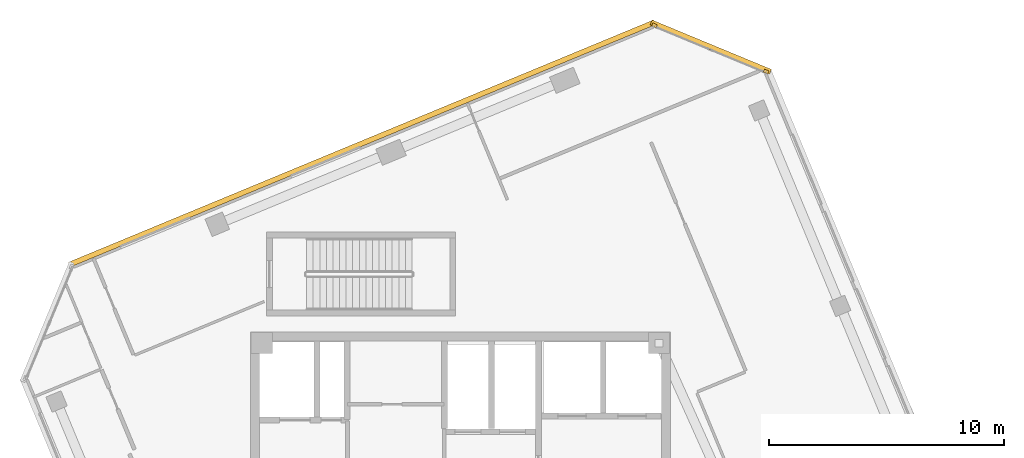
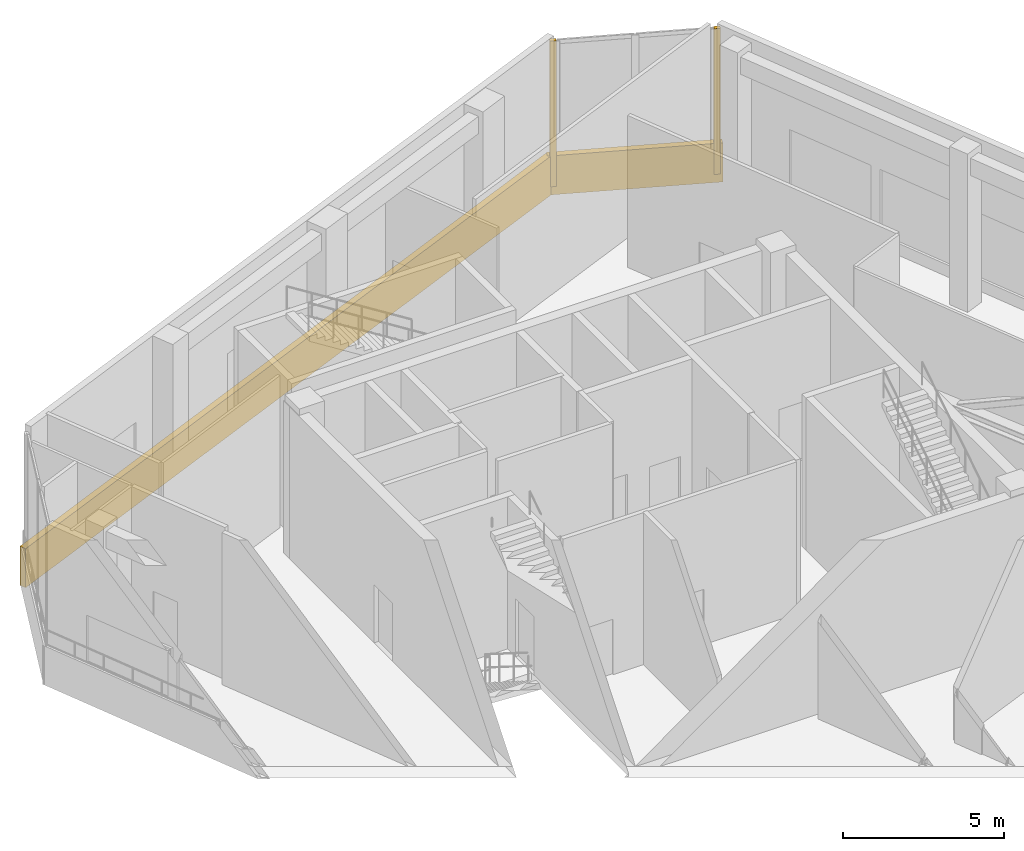
# One storey, part 16 of 16: 4 coverings.
"""IFC4 building model written with IfcOpenShell, lengths in metres."""

from ifc_helpers import new_model, si_unit, direction, frame, origin, origin_2d, place, context, subcontext, project, spatial, rectangle, extrude, source, transform, mapped, material, layer, layer_set, type_object, element, save


model = new_model("IFC4")

# Units and contexts
model_context = context("Model", 3, precision=1e-05, world=origin(), true_north=direction((0.0, 1.0)))
body_context = subcontext(model_context, "Body", "Model", "MODEL_VIEW")
ifc_project = project(units=[si_unit("LENGTHUNIT", "METRE"), si_unit("AREAUNIT", "SQUARE_METRE"), si_unit("VOLUMEUNIT", "CUBIC_METRE"), si_unit("PLANEANGLEUNIT", "RADIAN"), si_unit("MASSUNIT", "GRAM", prefix="KILO")], contexts=[model_context])

# Site, building, storey
site_placement = place(None, origin())
site = spatial("IfcSite", under=ifc_project, at=site_placement, CompositionType="ELEMENT")
building_placement = place(site_placement, origin())
building = spatial("IfcBuilding", under=site, at=building_placement, Name="Torre Montelarca", CompositionType="ELEMENT")
storey_placement = place(building_placement, frame((0.0, 0.0, 349.199951171875)))
storey = spatial("IfcBuildingStorey", under=building, at=storey_placement, Name="L79", CompositionType="ELEMENT", Elevation=349.199951171875)

# Coverings
ifc_material = material(Name="Bush-hammered warm white precast concrete C45/55", Category="concrete")
ifc_layer = layer(ifc_material, 0.139892578125, Name="Bush-hammered warm white precast concrete C45/55", Category="concrete")
ifc_layer_set = layer_set([ifc_layer], Name="Bush-hammered warm white precast concrete C45/55")
covering_type = type_object("IfcCoveringType", Name="COV-TRAY-CLAD", PredefinedType="CLADDING", material=ifc_layer_set)
shared_shape_1 = source(origin(), body_context, "Body", "SweptSolid", [
    extrude(rectangle(XDim=0.199951171875, YDim=0.139892578125, at=origin_2d()), origin(), (0.0, 0.0, 1.0), 5.52001953125),
])
for number, where, z_axis, x_axis, name in (
    (1, (31.006103515625, 51.002685546875, 0.0), (0.0, 0.0, 1.0), (-0.923880868323, 0.382680207415, 0.0), "L79 Architectural Column Pier Cladding E09-1"),
    (2, (26.255126953125, 52.970458984375, 0.0), (0.0, 0.0, 1.0), (-0.923880868323, 0.382680207415, 0.0), "L79 Architectural Column Pier Cladding E09-2"),
):
    element("IfcCovering", number, at=place(storey_placement, frame(where, z_axis=z_axis, x_axis=x_axis)), inside=storey, type_object=covering_type, Name=name, PredefinedType="CLADDING", context=body_context, shape_type="MappedRepresentation", body=[
        mapped(shared_shape_1, transform((0.0, 0.0, 0.0), scale=1.0)),
    ])
shared_shape_2 = source(origin(), body_context, "Body", "SweptSolid", [
    extrude(rectangle(XDim=5.493896484375, YDim=0.219970703125, at=origin_2d()), origin(), (0.0, 0.0, 1.0), 1.47998046875),
])
covering_1_placement = place(storey_placement, frame((28.653564453125, 52.0419921875, -0.31982421875), z_axis=(0.0, 0.0, 1.0), x_axis=(-0.923881536224, 0.382678594938, 0.0)))
element("IfcCovering", 3, at=covering_1_placement, inside=storey, type_object=covering_type, Name="L79 Architectural White Spandrel Tray Band DMPRNG-09", PredefinedType="CLADDING", context=body_context, shape_type="MappedRepresentation", body=[
    mapped(shared_shape_2, transform((0.0, 0.0, 0.0), scale=1.0)),
])
shared_shape_3 = source(origin(), body_context, "Body", "SweptSolid", [
    extrude(rectangle(XDim=26.919921875, YDim=0.219970703125, at=origin_2d()), origin(), (0.0, 0.0, 1.0), 1.47998046875),
])
covering_2_placement = place(storey_placement, frame((13.814208984375, 47.942138671875, -0.31982421875), z_axis=(0.0, 0.0, 1.0), x_axis=(-0.923880200418, -0.382681819891, 0.0)))
element("IfcCovering", 4, at=covering_2_placement, inside=storey, type_object=covering_type, Name="L79 Architectural White Spandrel Tray Band DMPRNG-10", PredefinedType="CLADDING", context=body_context, shape_type="MappedRepresentation", body=[
    mapped(shared_shape_3, transform((0.0, 0.0, 0.0), scale=1.0)),
])

save(model, "model.ifc")
